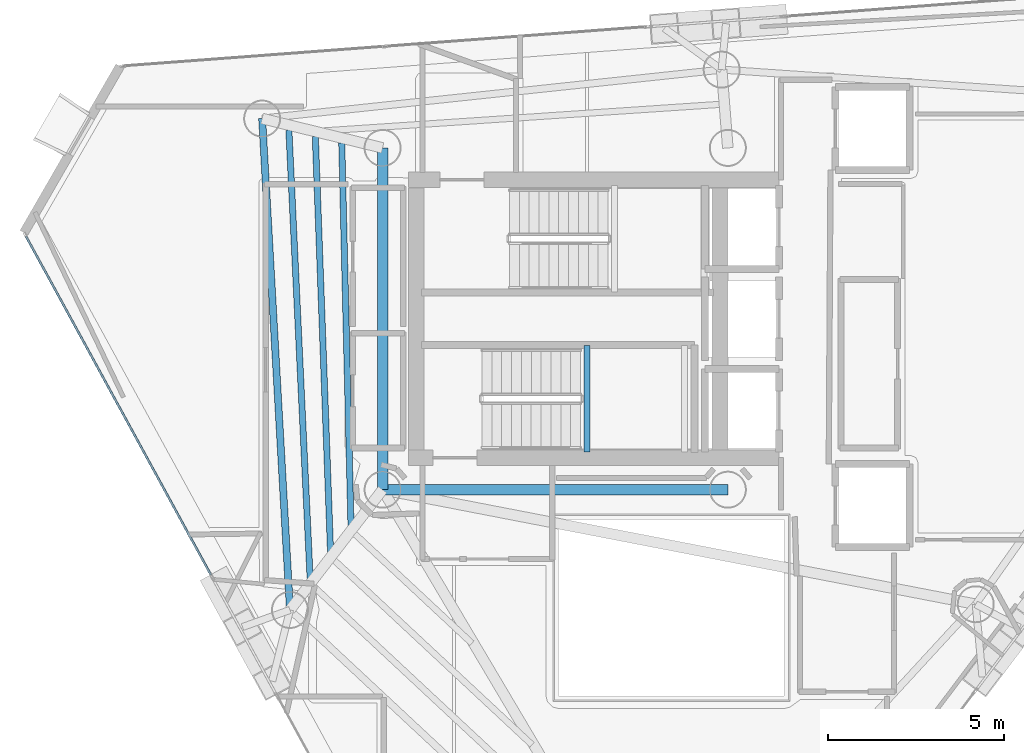
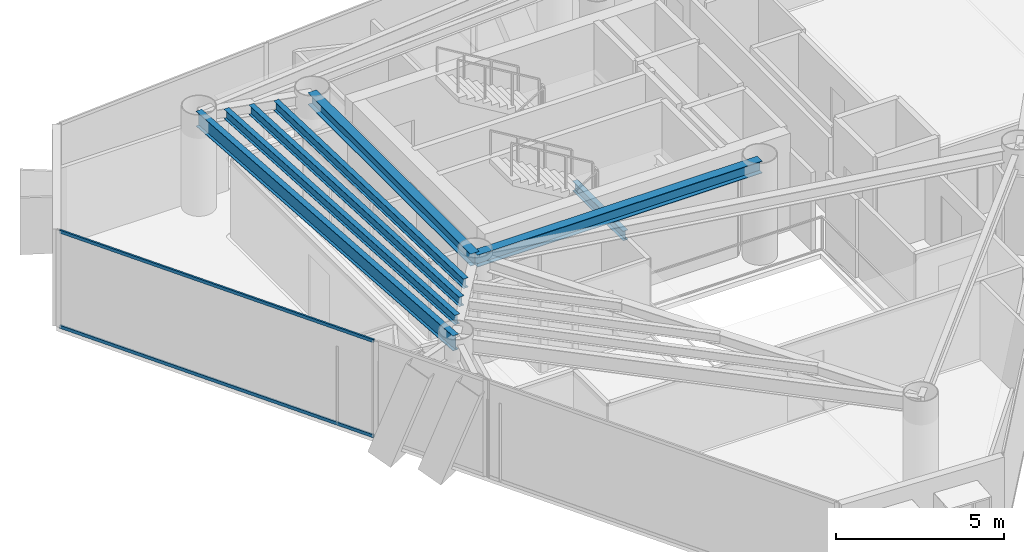
# One storey, part 7 of 19: 7 beams, 2 members, 1 element without a shape of its own.
"""IFC4 building model written with IfcOpenShell, lengths in metres."""

from ifc_helpers import new_model, si_unit, direction, frame, origin, origin_2d, place, context, subcontext, project, spatial, hollow_rectangle, i_section, extrude, material, layer, layer_set, material_profile, profile_set, type_object, element, aggregate, save


model = new_model("IFC4")

# Units and contexts
model_context = context("Model", 3, precision=1e-05, world=origin(), true_north=direction((0.0, 1.0)))
body_context = subcontext(model_context, "Body", "Model", "MODEL_VIEW")
ifc_project = project(units=[si_unit("LENGTHUNIT", "METRE"), si_unit("AREAUNIT", "SQUARE_METRE"), si_unit("VOLUMEUNIT", "CUBIC_METRE"), si_unit("PLANEANGLEUNIT", "RADIAN"), si_unit("MASSUNIT", "GRAM", prefix="KILO")], contexts=[model_context])

# Site, building, storey
site_placement = place(None, origin())
site = spatial("IfcSite", under=ifc_project, at=site_placement, CompositionType="ELEMENT")
building_placement = place(site_placement, origin())
building = spatial("IfcBuilding", under=site, at=building_placement, Name="Qianvela Tower", CompositionType="ELEMENT")
storey_placement = place(building_placement, frame((0.0, 0.0, 268.60009765625)))
storey = spatial("IfcBuildingStorey", under=building, at=storey_placement, Name="L69", CompositionType="ELEMENT", Elevation=268.60009765625)

# Beams
ifc_material_1 = material(Name="Steel Q355B", Category="steel")
ifc_material_profile_1 = material_profile(ifc_material_1, i_section(OverallWidth=0.300048828125, OverallDepth=0.43994140625, WebThickness=0.010986328125, FlangeThickness=0.01806640625, at=origin_2d()), Name="HM440x300x11x18")
ifc_profile_set_1 = profile_set([ifc_material_profile_1], Name="Steel Q355B")
beam_type_1 = type_object("IfcBeamType", Name="BM-HM440-COLL", PredefinedType="BEAM", material=ifc_profile_set_1)
beam_1_placement = place(storey_placement, frame((28.60009765625, 23.85009765625, 3.2978515625), z_axis=(1.0, 0.0, 0.0), x_axis=(0.0, 1.0, 0.0)))
element("IfcBeam", 1, at=beam_1_placement, inside=storey, type_object=beam_type_1, Name="L69 Core Ring Collector Girder CC1", PredefinedType="BEAM", context=body_context, shape_type="SweptSolid", body=[
    extrude(i_section(OverallWidth=0.300048828125, OverallDepth=0.43994140625, WebThickness=0.010986328125, FlangeThickness=0.01806640625, at=origin_2d()), origin(), (0.0, 0.0, 1.0), 9.7998046875),
])
beam_2_placement = place(storey_placement, frame((28.60009765625, 33.550048828125, 3.2978515625), z_axis=(0.0, -1.0, 0.0), x_axis=(1.0, 0.0, 0.0)))
element("IfcBeam", 2, at=beam_2_placement, inside=storey, type_object=beam_type_1, Name="L69 Core Ring Collector Girder CC2", PredefinedType="BEAM", context=body_context, shape_type="SweptSolid", body=[
    extrude(i_section(OverallWidth=0.300048828125, OverallDepth=0.43994140625, WebThickness=0.010986328125, FlangeThickness=0.01806640625, at=origin_2d()), origin(), (0.0, 0.0, 1.0), 9.699951171875),
])
ifc_material_2 = material(Name="Steel Q355B", Category="steel")
ifc_material_profile_2 = material_profile(ifc_material_2, i_section(OverallWidth=0.175048828125, OverallDepth=0.35009765625, WebThickness=0.007080078125, FlangeThickness=0.010986328125, at=origin_2d()), Name="HN350x175x7x11")
ifc_profile_set_2 = profile_set([ifc_material_profile_2], Name="Steel Q355B")
beam_type_2 = type_object("IfcBeamType", Name="BM-HN350-JOIST", PredefinedType="JOIST", material=ifc_profile_set_2)
beam_3_placement = place(storey_placement, frame((27.44140625, 33.6875, 3.343017578125), z_axis=(0.024087497273, -0.999709854145, 0.0), x_axis=(0.999709854145, 0.024087497273, 0.0)))
element("IfcBeam", 3, at=beam_3_placement, inside=storey, type_object=beam_type_2, Name="L69 Secondary Composite Floor Joist 3.1", PredefinedType="JOIST", context=body_context, shape_type="SweptSolid", body=[
    extrude(i_section(OverallWidth=0.175048828125, OverallDepth=0.35009765625, WebThickness=0.007080078125, FlangeThickness=0.010986328125, at=origin_2d()), origin(), (0.0, 0.0, 1.0), 10.855224609375),
])
beam_4_placement = place(storey_placement, frame((26.69140625, 33.87109375, 3.343017578125), z_axis=(0.036597460417, -0.999330088555, 0.0), x_axis=(0.999330088555, 0.036597460417, 0.0)))
element("IfcBeam", 4, at=beam_4_placement, inside=storey, type_object=beam_type_2, Name="L69 Secondary Composite Floor Joist 3.2", PredefinedType="JOIST", context=body_context, shape_type="SweptSolid", body=[
    extrude(i_section(OverallWidth=0.175048828125, OverallDepth=0.35009765625, WebThickness=0.007080078125, FlangeThickness=0.010986328125, at=origin_2d()), origin(), (0.0, 0.0, 1.0), 11.794189453125),
])
beam_5_placement = place(storey_placement, frame((25.94091796875, 34.0546875, 3.343017578125), z_axis=(0.04729372403, -0.998881025782, 0.0), x_axis=(0.998881025782, 0.04729372403, 0.0)))
element("IfcBeam", 5, at=beam_5_placement, inside=storey, type_object=beam_type_2, Name="L69 Secondary Composite Floor Joist 3.3", PredefinedType="JOIST", context=body_context, shape_type="SweptSolid", body=[
    extrude(i_section(OverallWidth=0.175048828125, OverallDepth=0.35009765625, WebThickness=0.007080078125, FlangeThickness=0.010986328125, at=origin_2d()), origin(), (0.0, 0.0, 1.0), 12.735107421875),
])
beam_6_placement = place(storey_placement, frame((34.39990234375, 24.919921875, 1.474853515625), z_axis=(0.0, 1.0, 0.0), x_axis=(-1.0, 0.0, 0.0)))
element("IfcBeam", 6, at=beam_6_placement, inside=storey, type_object=beam_type_2, Name="L69 Stair ST-2 Landing Support Beam 1.1", PredefinedType="JOIST", context=body_context, shape_type="SweptSolid", body=[
    extrude(i_section(OverallWidth=0.175048828125, OverallDepth=0.35009765625, WebThickness=0.007080078125, FlangeThickness=0.010986328125, at=origin_2d()), origin(), (0.0, 0.0, 1.0), 3.02001953125),
])
ifc_material_3 = material(Name="Steel Q355B", Category="steel")
ifc_material_profile_3 = material_profile(ifc_material_3, i_section(OverallWidth=0.199951171875, OverallDepth=0.550048828125, WebThickness=0.010009765625, FlangeThickness=0.01611328125, at=origin_2d()), Name="HN550x200x10x16")
ifc_profile_set_3 = profile_set([ifc_material_profile_3], Name="Steel Q355B")
beam_type_3 = type_object("IfcBeamType", Name="BM-HN550-GIRD", PredefinedType="BEAM", material=ifc_profile_set_3)
beam_7_placement = place(storey_placement, frame((25.181884765625, 34.384033203125, 3.242919921875), z_axis=(0.056555056691, -0.998399481952, 0.0), x_axis=(0.998399481952, 0.056555056691, 0.0)))
element("IfcBeam", 7, at=beam_7_placement, inside=storey, type_object=beam_type_3, Name="L69 Perimeter Ring Spandrel Girder 3", PredefinedType="BEAM", context=body_context, shape_type="SweptSolid", body=[
    extrude(i_section(OverallWidth=0.199951171875, OverallDepth=0.550048828125, WebThickness=0.010009765625, FlangeThickness=0.01611328125, at=origin_2d()), origin(), (0.0, 0.0, 1.0), 13.969482421875),
])

# Curtain wall, members
ifc_material_4 = material(Name="Anodised Architectural Aluminium and Low-E Glass", Category="aluminium")
ifc_layer = layer(ifc_material_4, 0.159912109375)
ifc_layer_set = layer_set([ifc_layer], Name="Anodised Architectural Aluminium and Low-E Glass")
curtain_wall_type = type_object("IfcCurtainWallType", Name="CW-COLIV-Z56", PredefinedType="USERDEFINED", material=ifc_layer_set)
curtain_wall_placement = place(storey_placement, origin())
curtain_wall = element("IfcCurtainWall", 8, at=curtain_wall_placement, inside=storey, type_object=curtain_wall_type, Name="L69 CW-COLIV-Z56 Curtain Wall 04A", ObjectType="CURTAIN_WALL_SYSTEM", PredefinedType="USERDEFINED")
ifc_material_5 = material(Name="Anodised Architectural Aluminium 6063-T6", Category="aluminium")
ifc_material_profile_4 = material_profile(ifc_material_5, hollow_rectangle(XDim=0.06005859375, YDim=0.114990234375, WallThickness=0.00390625, at=origin_2d()), Name="ALU-TRAN-60x115")
ifc_profile_set_4 = profile_set([ifc_material_profile_4], Name="Anodised Architectural Aluminium 6063-T6")
member_type = type_object("IfcMemberType", Name="CW-COLIV-Z56-TRAN", PredefinedType="USERDEFINED", material=ifc_profile_set_4)
member_1_placement = place(storey_placement, frame((18.4765625, 31.04443359375, 0.02978515625), z_axis=(0.479303531906, -0.877649203442, 0.0), x_axis=(0.877649203442, 0.479303531906, 0.0)))
member_1 = element("IfcMember", 9, at=member_1_placement, type_object=member_type, Name="CW-5 transom 1.1", ObjectType="TRANSOM", PredefinedType="USERDEFINED", context=body_context, shape_type="SweptSolid", body=[
    extrude(hollow_rectangle(XDim=0.06005859375, YDim=0.114990234375, WallThickness=0.00390625, at=origin_2d()), origin(), (0.0, 0.0, 1.0), 10.94970703125),
])
member_2_placement = place(storey_placement, frame((18.4765625, 31.04443359375, 3.489990234375), z_axis=(0.479303531906, -0.877649203442, 0.0), x_axis=(0.877649203442, 0.479303531906, 0.0)))
member_2 = element("IfcMember", 10, at=member_2_placement, type_object=member_type, Name="CW-5 transom 1.2", ObjectType="TRANSOM", PredefinedType="USERDEFINED", context=body_context, shape_type="SweptSolid", body=[
    extrude(hollow_rectangle(XDim=0.06005859375, YDim=0.114990234375, WallThickness=0.00390625, at=origin_2d()), origin(), (0.0, 0.0, 1.0), 10.94970703125),
])
aggregate(curtain_wall, [member_1, member_2])

save(model, "model.ifc")
